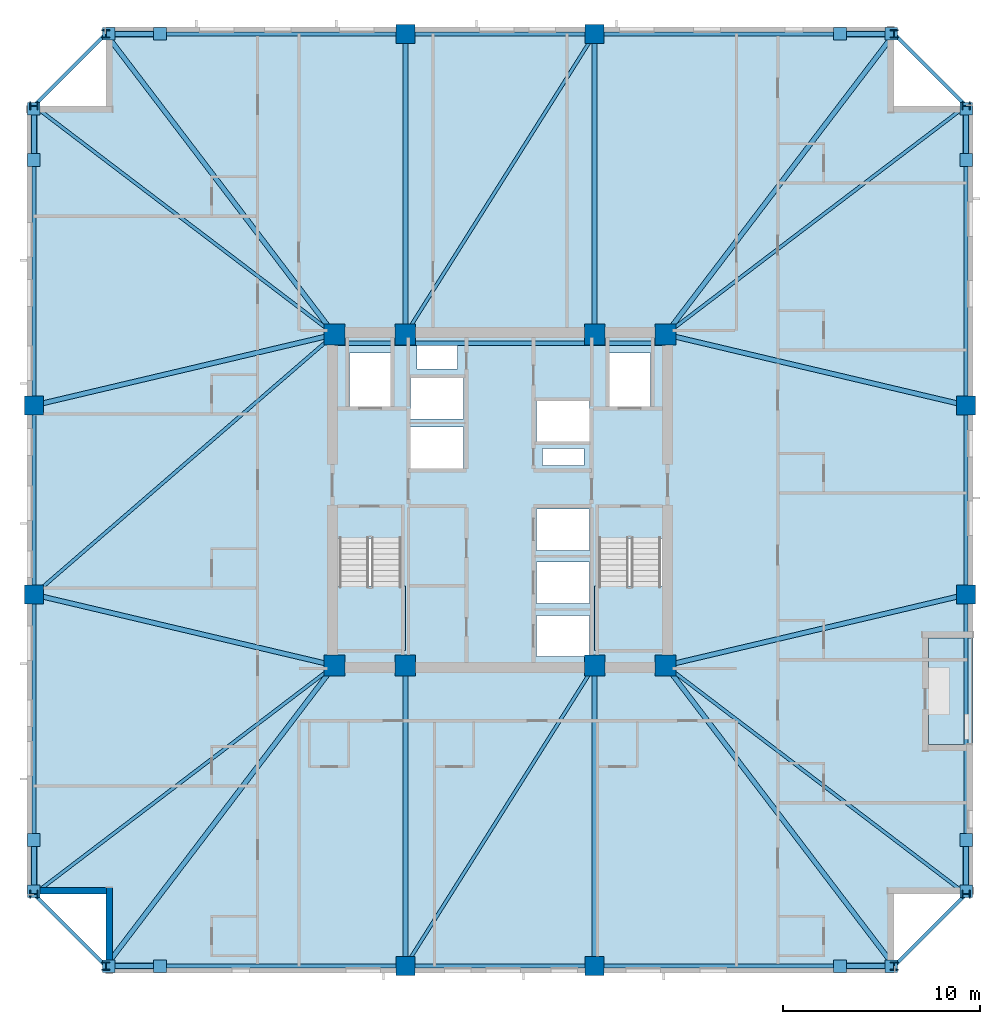
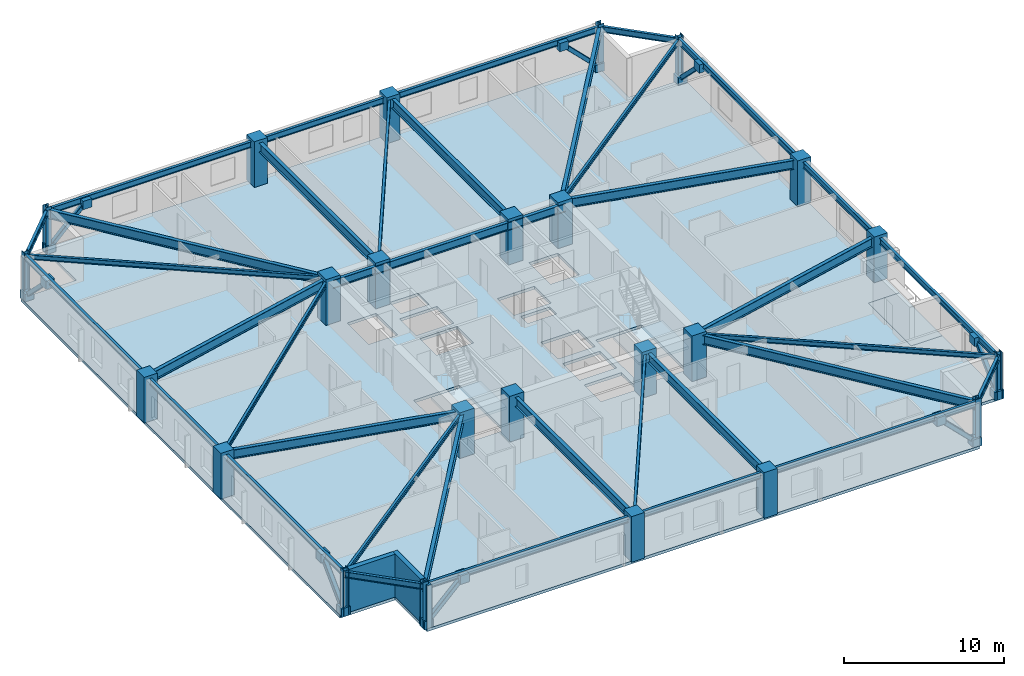
# One storey, part 1 of 11: 38 beams, 24 columns, 16 plates, 8 members, 4 slabs, 2 walls, 2 elements without a shape of their own.
"""IFC4 building model written with IfcOpenShell, lengths in metres."""

import ifcopenshell
import ifcopenshell.guid

model = None  # the IFC model being written
_history = None  # IfcOwnerHistory: only IFC2X3 demands one
_inside = {}  # id of a spatial element -> (the spatial element, [elements in it])
_under = {}  # id of a project, library or spatial element -> (it, [spatial elements below it])
_declared = {}  # id of a project -> (the project, [libraries it declares])
_typed = {}  # id of a type object -> (the type object, [elements of that type])
_made_of = {}  # id of a material, layer set ... -> (it, [elements and type objects made of it])


def new_model(schema):
    """Start an empty IFC model of exactly this schema.

    Asked for "IFC4X3", IfcOpenShell would pick the latest addendum, in which some entities
    have other attributes; the version numbers below select the first issue.
    IFC2X3 requires an IfcOwnerHistory on every rooted entity: one is made here for all.
    """
    global model, _history
    if schema == "IFC4X3":
        model = ifcopenshell.file(schema_version=(4, 3, 0, 0))
    else:
        model = ifcopenshell.file(schema=schema)
    _inside.clear()
    _under.clear()
    _declared.clear()
    _typed.clear()
    _made_of.clear()
    _history = None
    if model.schema == "IFC2X3":
        org = make("IfcOrganization", Name="unknown")
        user = make(
            "IfcPersonAndOrganization",
            ThePerson=make("IfcPerson", FamilyName="unknown"),
            TheOrganization=org,
        )
        app = make(
            "IfcApplication",
            ApplicationDeveloper=org,
            Version="unknown",
            ApplicationFullName="unknown",
            ApplicationIdentifier="unknown",
        )
        _history = make(
            "IfcOwnerHistory",
            OwningUser=user,
            OwningApplication=app,
            ChangeAction="ADDED",
            CreationDate=0,
        )
    return model


def make(cls, **values):
    """One entity of the class cls with the attributes given. An attribute that is None is left unset."""
    return model.create_entity(
        cls, **{name: value for name, value in values.items() if value is not None}
    )


def rooted(cls, **values):
    """An entity with a GlobalId (a new one), such as an element, a storey or a relation."""
    return make(cls, GlobalId=ifcopenshell.guid.new(), OwnerHistory=_history, **values)


def si_unit(unit_type, name, prefix=None):
    """IfcSIUnit, for example si_unit("LENGTHUNIT", "METRE", prefix="MILLI")."""
    return make("IfcSIUnit", UnitType=unit_type, Prefix=prefix, Name=name)


def assignment(units):
    """IfcUnitAssignment: the units of a project."""
    return None if units is None else make("IfcUnitAssignment", Units=units)


def point(xyz):
    """IfcCartesianPoint."""
    return None if xyz is None else make("IfcCartesianPoint", Coordinates=xyz)


def direction(xyz):
    """IfcDirection."""
    return None if xyz is None else make("IfcDirection", DirectionRatios=xyz)


def frame(location, z_axis=None, x_axis=None):
    """IfcAxis2Placement3D, a coordinate frame: its origin and axes. An axis left out is left unset."""
    return make(
        "IfcAxis2Placement3D",
        Location=point(location),
        Axis=direction(z_axis),
        RefDirection=direction(x_axis),
    )


def frame_2d(location, x_axis=None):
    """IfcAxis2Placement2D, a coordinate frame in the plane: its origin and x axis."""
    return make(
        "IfcAxis2Placement2D", Location=point(location), RefDirection=direction(x_axis)
    )


def origin():
    """The frame at (0, 0, 0) with its axes left unset."""
    return frame((0.0, 0.0, 0.0))


def origin_2d():
    """The frame at (0, 0) in the plane with its x axis left unset."""
    return frame_2d((0.0, 0.0))


def place(relative_to, where):
    """IfcLocalPlacement: puts the frame where relative to a parent placement (None: the world)."""
    return make(
        "IfcLocalPlacement", PlacementRelTo=relative_to, RelativePlacement=where
    )


def context(
    kind, dimensions, precision=None, world=None, true_north=None, identifier=None
):
    """IfcGeometricRepresentationContext, for example the 3D "Model" context."""
    return make(
        "IfcGeometricRepresentationContext",
        ContextIdentifier=identifier,
        ContextType=kind,
        CoordinateSpaceDimension=dimensions,
        Precision=precision,
        WorldCoordinateSystem=world,
        TrueNorth=true_north,
    )


def subcontext(parent, identifier, kind, view, scale=None):
    """IfcGeometricRepresentationSubContext, for example "Body" below "Model"."""
    return make(
        "IfcGeometricRepresentationSubContext",
        ContextIdentifier=identifier,
        ContextType=kind,
        ParentContext=parent,
        TargetScale=scale,
        TargetView=view,
    )


def project(units=None, contexts=None):
    """IfcProject with its units and contexts."""
    return rooted(
        "IfcProject",
        Name="project",
        RepresentationContexts=contexts,
        UnitsInContext=assignment(units),
    )


def spatial(cls, under=None, at=None, **own):
    """A site, building, storey or space (cls), placed at a placement, below another one or the project."""
    s = rooted(cls, ObjectPlacement=at, **own)
    if under is not None:
        _under.setdefault(under.id(), (under, []))[1].append(s)
    return s


def polyline(points):
    """IfcPolyline through the points."""
    return make("IfcPolyline", Points=[point(p) for p in points])


def profile(cls, at=None, kind="AREA", **sizes):
    """A parametric profile (cls). Its sizes go by their IFC names, for example OverallWidth=200.0."""
    return make(cls, ProfileType=kind, Position=at, **sizes)


def rectangle(**sizes):
    """IfcRectangleProfileDef."""
    return profile("IfcRectangleProfileDef", **sizes)


def hollow_rectangle(**sizes):
    """IfcRectangleHollowProfileDef."""
    return profile("IfcRectangleHollowProfileDef", **sizes)


def i_section(**sizes):
    """IfcIShapeProfileDef."""
    return profile("IfcIShapeProfileDef", **sizes)


def outline(outer, holes=None, kind="AREA"):
    """IfcArbitraryClosedProfileDef: a profile drawn as a closed curve; with holes, ...WithVoids."""
    if holes is None:
        return make("IfcArbitraryClosedProfileDef", ProfileType=kind, OuterCurve=outer)
    return make(
        "IfcArbitraryProfileDefWithVoids",
        ProfileType=kind,
        OuterCurve=outer,
        InnerCurves=holes,
    )


def extrude(swept, where, along, depth):
    """IfcExtrudedAreaSolid: the profile swept, set in the frame where, extruded along a direction by depth."""
    return make(
        "IfcExtrudedAreaSolid",
        SweptArea=swept,
        Position=where,
        ExtrudedDirection=direction(along),
        Depth=depth,
    )


def shape(context_of_items, identifier, shape_type, items):
    """IfcShapeRepresentation: the items that make up one representation, for example the "Body"."""
    return make(
        "IfcShapeRepresentation",
        ContextOfItems=context_of_items,
        RepresentationIdentifier=identifier,
        RepresentationType=shape_type,
        Items=items,
    )


def material(Name=None, Category=None):
    """IfcMaterial."""
    return make("IfcMaterial", Name=Name, Category=Category)


def layer(
    of_material, thickness, ventilated=None, Name=None, Category=None, Priority=None
):
    """IfcMaterialLayer: one layer of a wall or slab, of a material (None: an air gap)."""
    return make(
        "IfcMaterialLayer",
        Material=of_material,
        LayerThickness=thickness,
        IsVentilated=ventilated,
        Name=Name,
        Category=Category,
        Priority=Priority,
    )


def layer_set(layers, Name=None):
    """IfcMaterialLayerSet."""
    return make("IfcMaterialLayerSet", MaterialLayers=layers, LayerSetName=Name)


def material_profile(
    of_material, cross_section, Name=None, Category=None, Priority=None
):
    """IfcMaterialProfile: a cross section and its material."""
    return make(
        "IfcMaterialProfile",
        Name=Name,
        Material=of_material,
        Profile=cross_section,
        Priority=Priority,
        Category=Category,
    )


def profile_set(profiles, Name=None, composite=None):
    """IfcMaterialProfileSet."""
    return make(
        "IfcMaterialProfileSet",
        Name=Name,
        MaterialProfiles=profiles,
        CompositeProfile=composite,
    )


def made_of(thing, what):
    """Note that an element or type object is made of a material, layer set ...; save() writes the relation."""
    if what is not None:
        _made_of.setdefault(what.id(), (what, []))[1].append(thing)
    return thing


def type_object(cls, material=None, **own):
    """A type object (cls), such as IfcWallType, which elements share."""
    return made_of(rooted(cls, **own), material)


def element(
    cls,
    number,
    at=None,
    inside=None,
    cuts=None,
    type_object=None,
    material=None,
    context=None,
    identifier="Body",
    shape_type=None,
    held_by="IfcProductDefinitionShape",
    body=None,
    shapes=None,
    **own,
):
    """One element of the class cls, such as IfcWall. Its Tag is "e" and its number.

    at: its placement. inside: the storey or other place that contains it. cuts: it is an
    opening in that element (IfcRelVoidsElement). A single representation is given by context,
    identifier, shape_type and body (its items); several are given by shapes. held_by: the class
    of the entity that holds the representations. save() writes the other relations.
    """
    e = rooted(cls, Tag="e%d" % number, ObjectPlacement=at, **own)
    if body is not None:
        shapes = [shape(context, identifier, shape_type, body)]
    if shapes is not None:
        e.Representation = make(held_by, Representations=shapes)
    if inside is not None:
        _inside.setdefault(inside.id(), (inside, []))[1].append(e)
    if cuts is not None:
        rooted(
            "IfcRelVoidsElement", RelatingBuildingElement=cuts, RelatedOpeningElement=e
        )
    if type_object is not None:
        _typed.setdefault(type_object.id(), (type_object, []))[1].append(e)
    return made_of(e, material)


def aggregate(whole, parts):
    """IfcRelAggregates: a whole, such as a stair, and the parts it consists of."""
    return rooted("IfcRelAggregates", RelatingObject=whole, RelatedObjects=parts)


def save(model, path):
    """Write the relations noted so far, then the file.

    IfcRelAggregates (storeys below a building ...), IfcRelContainedInSpatialStructure (elements
    in a storey), IfcRelDefinesByType, IfcRelAssociatesMaterial and IfcRelDeclares: one each for
    every whole, place, type object, material and project.
    """
    for whole, parts in _under.values():
        aggregate(whole, parts)
    for where, things in _inside.values():
        rooted(
            "IfcRelContainedInSpatialStructure",
            RelatedElements=things,
            RelatingStructure=where,
        )
    for kind, things in _typed.values():
        rooted("IfcRelDefinesByType", RelatedObjects=things, RelatingType=kind)
    for what, things in _made_of.values():
        rooted("IfcRelAssociatesMaterial", RelatedObjects=things, RelatingMaterial=what)
    for by, libraries in _declared.values():
        rooted("IfcRelDeclares", RelatingContext=by, RelatedDefinitions=libraries)
    model.write(path)


model = new_model("IFC4")

# Units and contexts
model_context = context("Model", 3, precision=1e-05, world=origin(), true_north=direction((0.0, 1.0)))
body_context = subcontext(model_context, "Body", "Model", "MODEL_VIEW")
ifc_project = project(units=[si_unit("LENGTHUNIT", "METRE"), si_unit("AREAUNIT", "SQUARE_METRE"), si_unit("VOLUMEUNIT", "CUBIC_METRE"), si_unit("PLANEANGLEUNIT", "RADIAN"), si_unit("MASSUNIT", "GRAM", prefix="KILO")], contexts=[model_context])

# Site, building, storey
site_placement = place(None, origin())
site = spatial("IfcSite", under=ifc_project, at=site_placement, CompositionType="ELEMENT")
building_placement = place(site_placement, origin())
building = spatial("IfcBuilding", under=site, at=building_placement, Name="Cairnveth Concourse Tower", CompositionType="ELEMENT")
storey_placement = place(building_placement, frame((0.0, 0.0, 172.5)))
storey = spatial("IfcBuildingStorey", under=building, at=storey_placement, Name="L47", CompositionType="ELEMENT", Elevation=172.5)

# Columns
ifc_material_1 = material(Name="Concrete N65 (65 MPa)", Category="concrete")
ifc_material_profile_1 = material_profile(ifc_material_1, rectangle(XDim=1.050048828125, YDim=1.050048828125, at=origin_2d()), Name="RC-COL-1050x1050")
ifc_profile_set_1 = profile_set([ifc_material_profile_1], Name="Concrete N65 (65 MPa)")
column_type_1 = type_object("IfcColumnType", Name="CORE COLUMN 1050X1050", PredefinedType="COLUMN", material=ifc_profile_set_1)
for number, where, z_axis, x_axis, name in (
    (1, (43.60009765625, 30.60009765625, 0.0), (0.0, 0.0, 1.0), (1.0, 0.0, 0.0), "Column CC1 L47"),
    (2, (47.199951171875, 30.60009765625, 0.0), (0.0, 0.0, 1.0), (1.0, 0.0, 0.0), "Column CC2 L47"),
    (3, (56.800048828125, 30.60009765625, 0.0), (0.0, 0.0, 1.0), (1.0, 0.0, 0.0), "Column CC3 L47"),
    (4, (60.39990234375, 30.60009765625, 0.0), (0.0, 0.0, 1.0), (1.0, 0.0, 0.0), "Column CC4 L47"),
    (5, (43.60009765625, 47.39990234375, 0.0), (0.0, 0.0, 1.0), (1.0, 0.0, 0.0), "Column CC5 L47"),
    (6, (47.199951171875, 47.39990234375, 0.0), (0.0, 0.0, 1.0), (1.0, 0.0, 0.0), "Column CC6 L47"),
    (7, (56.800048828125, 47.39990234375, 0.0), (0.0, 0.0, 1.0), (1.0, 0.0, 0.0), "Column CC7 L47"),
    (8, (60.39990234375, 47.39990234375, 0.0), (0.0, 0.0, 1.0), (1.0, 0.0, 0.0), "Column CC8 L47"),
):
    element("IfcColumn", number, at=place(storey_placement, frame(where, z_axis=z_axis, x_axis=x_axis)), inside=storey, type_object=column_type_1, Name=name, PredefinedType="COLUMN", context=body_context, shape_type="SweptSolid", body=[
        extrude(rectangle(XDim=1.050048828125, YDim=1.050048828125, at=origin_2d()), origin(), (0.0, 0.0, 1.0), 3.5),
    ])
ifc_material_profile_2 = material_profile(ifc_material_1, rectangle(XDim=0.949951171875, YDim=0.949951171875, at=origin_2d()), Name="RC-COL-950x950")
ifc_profile_set_2 = profile_set([ifc_material_profile_2], Name="Concrete N65 (65 MPa)")
column_type_2 = type_object("IfcColumnType", Name="PERIMETER PIER COLUMN 950X950", PredefinedType="COLUMN", material=ifc_profile_set_2)
for number, where, z_axis, x_axis, name in (
    (9, (47.199951171875, 15.35009765625, 0.0), (0.0, 0.0, 1.0), (1.0, 0.0, 0.0), "Column P-S2 L47"),
    (10, (56.800048828125, 15.35009765625, 0.0), (0.0, 0.0, 1.0), (1.0, 0.0, 0.0), "Column P-S3 L47"),
    (11, (75.64990234375, 34.199951171875, 0.0), (0.0, 0.0, 1.0), (0.0, 1.0, 0.0), "Column P-E2 L47"),
    (12, (75.64990234375, 43.800048828125, 0.0), (0.0, 0.0, 1.0), (0.0, 1.0, 0.0), "Column P-E3 L47"),
    (13, (56.800048828125, 62.64990234375, 0.0), (0.0, 0.0, 1.0), (1.0, 0.0, 0.0), "Column P-N2 L47"),
    (14, (47.199951171875, 62.64990234375, 0.0), (0.0, 0.0, 1.0), (1.0, 0.0, 0.0), "Column P-N3 L47"),
    (15, (28.35009765625, 43.800048828125, 0.0), (0.0, 0.0, 1.0), (0.0, 1.0, 0.0), "Column P-W2 L47"),
    (16, (28.35009765625, 34.199951171875, 0.0), (0.0, 0.0, 1.0), (0.0, 1.0, 0.0), "Column P-W3 L47"),
):
    element("IfcColumn", number, at=place(storey_placement, frame(where, z_axis=z_axis, x_axis=x_axis)), inside=storey, type_object=column_type_2, Name=name, PredefinedType="COLUMN", context=body_context, shape_type="SweptSolid", body=[
        extrude(rectangle(XDim=0.949951171875, YDim=0.949951171875, at=origin_2d()), origin(), (0.0, 0.0, 1.0), 3.5),
    ])
ifc_material_2 = material(Name="Steel Grade 350", Category="steel")
ifc_material_profile_3 = material_profile(ifc_material_2, i_section(OverallWidth=0.39990234375, OverallDepth=0.39990234375, WebThickness=0.02197265625, FlangeThickness=0.035888671875, at=origin_2d()), Name="400WC270")
ifc_profile_set_3 = profile_set([ifc_material_profile_3], Name="Steel Grade 350")
column_type_3 = type_object("IfcColumnType", Name="WELDED STEEL COLUMN 400WC270", PredefinedType="COLUMN", material=ifc_profile_set_3)
for number, where, z_axis, x_axis, name in (
    (17, (32.0, 15.35009765625, 0.0), (0.0, 0.0, 1.0), (1.0, 0.0, 0.0), "Column P-S1 L47"),
    (18, (72.0, 15.35009765625, 0.0), (0.0, 0.0, 1.0), (1.0, 0.0, 0.0), "Column P-S4 L47"),
    (19, (75.64990234375, 19.0, 0.0), (0.0, 0.0, 1.0), (0.0, 1.0, 0.0), "Column P-E1 L47"),
    (20, (75.64990234375, 59.0, 0.0), (0.0, 0.0, 1.0), (0.0, 1.0, 0.0), "Column P-E4 L47"),
    (21, (72.0, 62.64990234375, 0.0), (0.0, 0.0, 1.0), (1.0, 0.0, 0.0), "Column P-N1 L47"),
    (22, (32.0, 62.64990234375, 0.0), (0.0, 0.0, 1.0), (1.0, 0.0, 0.0), "Column P-N4 L47"),
    (23, (28.35009765625, 59.0, 0.0), (0.0, 0.0, 1.0), (0.0, 1.0, 0.0), "Column P-W1 L47"),
    (24, (28.35009765625, 19.0, 0.0), (0.0, 0.0, 1.0), (0.0, 1.0, 0.0), "Column P-W4 L47"),
):
    element("IfcColumn", number, at=place(storey_placement, frame(where, z_axis=z_axis, x_axis=x_axis)), inside=storey, type_object=column_type_3, Name=name, PredefinedType="COLUMN", context=body_context, shape_type="SweptSolid", body=[
        extrude(i_section(OverallWidth=0.39990234375, OverallDepth=0.39990234375, WebThickness=0.02197265625, FlangeThickness=0.035888671875, at=origin_2d()), origin(), (0.0, 0.0, 1.0), 3.5),
    ])

# Beams
ifc_material_profile_4 = material_profile(ifc_material_2, i_section(OverallWidth=0.22802734375, OverallDepth=0.60693359375, WebThickness=0.01123046875, FlangeThickness=0.017333984375, FilletRadius=0.013916015625, at=origin_2d()), Name="610UB113")
ifc_profile_set_4 = profile_set([ifc_material_profile_4], Name="Steel Grade 350")
beam_type_1 = type_object("IfcBeamType", Name="CORE TIE BEAM 610UB113", PredefinedType="T_BEAM", material=ifc_profile_set_4)
for number, where, z_axis, x_axis, name in (
    (25, (43.60009765625, 46.949951171875, 2.9765625), (1.0, 0.0, 0.0), (0.0, 1.0, 0.0), "Beam CT-N1 L47"),
    (26, (56.800048828125, 46.949951171875, 2.9765625), (1.0, 0.0, 0.0), (0.0, 1.0, 0.0), "Beam CT-N3 L47"),
):
    element("IfcBeam", number, at=place(storey_placement, frame(where, z_axis=z_axis, x_axis=x_axis)), inside=storey, type_object=beam_type_1, Name=name, PredefinedType="T_BEAM", context=body_context, shape_type="SweptSolid", body=[
        extrude(i_section(OverallWidth=0.22802734375, OverallDepth=0.60693359375, WebThickness=0.01123046875, FlangeThickness=0.017333984375, FilletRadius=0.013916015625, at=origin_2d()), origin(), (0.0, 0.0, 1.0), 3.599853515625),
    ])
beam_1_placement = place(storey_placement, frame((47.199951171875, 46.949951171875, 2.9765625), z_axis=(1.0, 0.0, 0.0), x_axis=(0.0, 1.0, 0.0)))
element("IfcBeam", 27, at=beam_1_placement, inside=storey, type_object=beam_type_1, Name="Beam CT-N2 L47", PredefinedType="T_BEAM", context=body_context, shape_type="SweptSolid", body=[
    extrude(i_section(OverallWidth=0.22802734375, OverallDepth=0.60693359375, WebThickness=0.01123046875, FlangeThickness=0.017333984375, FilletRadius=0.013916015625, at=origin_2d()), origin(), (0.0, 0.0, 1.0), 9.60009765625),
])
ifc_material_profile_5 = material_profile(ifc_material_2, i_section(OverallWidth=0.172119140625, OverallDepth=0.35888671875, WebThickness=0.008056640625, FlangeThickness=0.012939453125, FilletRadius=0.010986328125, at=origin_2d()), Name="360UB56.7")
ifc_profile_set_5 = profile_set([ifc_material_profile_5], Name="Steel Grade 350")
beam_type_2 = type_object("IfcBeamType", Name="ZONE 2 FLOOR JOIST 360UB56.7", PredefinedType="JOIST", material=ifc_profile_set_5)
for number, where, z_axis, x_axis, name in (
    (28, (28.35009765625, 19.0, 3.1005859375), (0.795908242904, 0.6054172684, 0.0), (-0.6054172684, 0.795908242904, 0.0), "Beam FJ-CSW2 L47"),
    (29, (75.64990234375, 19.0, 3.1005859375), (-0.795908242904, 0.6054172684, 0.0), (-0.6054172684, -0.795908242904, 0.0), "Beam FJ-CSE2 L47"),
    (30, (75.64990234375, 59.0, 3.1005859375), (-0.795908242904, -0.6054172684, 0.0), (0.6054172684, -0.795908242904, 0.0), "Beam FJ-CNE2 L47"),
    (31, (28.35009765625, 59.0, 3.1005859375), (0.795908242904, -0.6054172684, 0.0), (0.6054172684, 0.795908242904, 0.0), "Beam FJ-CNW2 L47"),
):
    element("IfcBeam", number, at=place(storey_placement, frame(where, z_axis=z_axis, x_axis=x_axis)), inside=storey, type_object=beam_type_2, Name=name, PredefinedType="JOIST", context=body_context, shape_type="SweptSolid", body=[
        extrude(i_section(OverallWidth=0.172119140625, OverallDepth=0.35888671875, WebThickness=0.008056640625, FlangeThickness=0.012939453125, FilletRadius=0.010986328125, at=origin_2d()), origin(), (0.0, 0.0, 1.0), 19.160400390625),
    ])
for number, where, z_axis, x_axis, name in (
    (32, (47.199951171875, 15.35009765625, 3.1005859375), (0.532743557037, 0.84627672923, 0.0), (-0.84627672923, 0.532743557037, 0.0), "Beam FJ-S-M1 L47"),
    (33, (47.199951171875, 47.39990234375, 3.1005859375), (0.532743557037, 0.84627672923, 0.0), (-0.84627672923, 0.532743557037, 0.0), "Beam FJ-N-M1 L47"),
):
    element("IfcBeam", number, at=place(storey_placement, frame(where, z_axis=z_axis, x_axis=x_axis)), inside=storey, type_object=beam_type_2, Name=name, PredefinedType="JOIST", context=body_context, shape_type="SweptSolid", body=[
        extrude(i_section(OverallWidth=0.172119140625, OverallDepth=0.35888671875, WebThickness=0.008056640625, FlangeThickness=0.012939453125, FilletRadius=0.010986328125, at=origin_2d()), origin(), (0.0, 0.0, 1.0), 18.02001953125),
    ])
beam_2_placement = place(storey_placement, frame((28.35009765625, 34.199951171875, 3.1005859375), z_axis=(0.756099107057, 0.654457134049, 0.0), x_axis=(-0.654457134049, 0.756099107057, 0.0)))
element("IfcBeam", 34, at=beam_2_placement, inside=storey, type_object=beam_type_2, Name="Beam FJ-W-M1 L47", PredefinedType="JOIST", context=body_context, shape_type="SweptSolid", body=[
    extrude(i_section(OverallWidth=0.172119140625, OverallDepth=0.35888671875, WebThickness=0.008056640625, FlangeThickness=0.012939453125, FilletRadius=0.010986328125, at=origin_2d()), origin(), (0.0, 0.0, 1.0), 20.16943359375),
])

# Members
ifc_material_3 = material(Name="Steel C350L0 (350 MPa)", Category="steel")
ifc_material_profile_6 = material_profile(ifc_material_3, hollow_rectangle(XDim=0.300048828125, YDim=0.300048828125, WallThickness=0.01611328125, InnerFilletRadius=0.01611328125, OuterFilletRadius=0.031982421875, at=origin_2d()), Name="300x300x16.0SHS")
ifc_profile_set_6 = profile_set([ifc_material_profile_6], Name="Steel C350L0 (350 MPa)")
member_type = type_object("IfcMemberType", Name="ZONE 2 PIER BRACE 300X300X16SHS", PredefinedType="BRACE", material=ifc_profile_set_6)
for number, where, z_axis, x_axis, name in (
    (35, (32.14990234375, 15.35009765625, 0.25), (0.709834195787, 0.0, 0.704368805735), (0.0, 1.0, 0.0), "Structural Brace PB-S1 L47"),
    (36, (71.85009765625, 15.35009765625, 0.25), (-0.709834195787, 0.0, 0.704368805735), (0.0, -1.0, 0.0), "Structural Brace PB-S2 L47"),
    (37, (32.14990234375, 62.64990234375, 0.25), (0.709834195787, 0.0, 0.704368805735), (0.0, 1.0, 0.0), "Structural Brace PB-N1 L47"),
    (38, (71.85009765625, 62.64990234375, 0.25), (-0.709834195787, 0.0, 0.704368805735), (0.0, -1.0, 0.0), "Structural Brace PB-N2 L47"),
    (39, (28.35009765625, 19.14990234375, 0.25), (0.0, 0.709834195787, 0.704368805735), (-1.0, 0.0, 0.0), "Structural Brace PB-W1 L47"),
    (40, (28.35009765625, 58.85009765625, 0.25), (0.0, -0.709834195787, 0.704368805735), (1.0, 0.0, 0.0), "Structural Brace PB-W2 L47"),
    (41, (75.64990234375, 19.14990234375, 0.25), (0.0, 0.709834195787, 0.704368805735), (-1.0, 0.0, 0.0), "Structural Brace PB-E1 L47"),
    (42, (75.64990234375, 58.85009765625, 0.25), (0.0, -0.709834195787, 0.704368805735), (1.0, 0.0, 0.0), "Structural Brace PB-E2 L47"),
):
    element("IfcMember", number, at=place(storey_placement, frame(where, z_axis=z_axis, x_axis=x_axis)), inside=storey, type_object=member_type, Name=name, PredefinedType="BRACE", context=body_context, shape_type="SweptSolid", body=[
        extrude(hollow_rectangle(XDim=0.300048828125, YDim=0.300048828125, WallThickness=0.01611328125, InnerFilletRadius=0.01611328125, OuterFilletRadius=0.031982421875, at=origin_2d()), origin(), (0.0, 0.0, 1.0), 3.6630859375),
    ])

# Beams
ifc_material_profile_7 = material_profile(ifc_material_2, i_section(OverallWidth=0.25, OverallDepth=0.699951171875, WebThickness=0.011962890625, FlangeThickness=0.028076171875, at=origin_2d()), Name="700WB173")
ifc_profile_set_7 = profile_set([ifc_material_profile_7], Name="Steel Grade 350")
beam_type_3 = type_object("IfcBeamType", Name="ZONE 2 RADIAL GIRDER 700WB173", PredefinedType="BEAM", material=ifc_profile_set_7)
for number, where, z_axis, x_axis, name in (
    (43, (47.199951171875, 15.35009765625, 2.929931640625), (0.0, 1.0, 0.0), (-1.0, 0.0, 0.0), "Beam RG-S1 L47"),
    (44, (56.800048828125, 15.35009765625, 2.929931640625), (0.0, 1.0, 0.0), (-1.0, 0.0, 0.0), "Beam RG-S2 L47"),
    (45, (47.199951171875, 47.39990234375, 2.929931640625), (0.0, 1.0, 0.0), (-1.0, 0.0, 0.0), "Beam RG-N1 L47"),
    (46, (56.800048828125, 47.39990234375, 2.929931640625), (0.0, 1.0, 0.0), (-1.0, 0.0, 0.0), "Beam RG-N2 L47"),
):
    element("IfcBeam", number, at=place(storey_placement, frame(where, z_axis=z_axis, x_axis=x_axis)), inside=storey, type_object=beam_type_3, Name=name, PredefinedType="BEAM", context=body_context, shape_type="SweptSolid", body=[
        extrude(i_section(OverallWidth=0.25, OverallDepth=0.699951171875, WebThickness=0.011962890625, FlangeThickness=0.028076171875, at=origin_2d()), origin(), (0.0, 0.0, 1.0), 15.25),
    ])
for number, where, z_axis, x_axis, name in (
    (47, (28.35009765625, 34.199951171875, 2.929931640625), (0.973251602929, -0.229741849468, 0.0), (0.229741849468, 0.973251602929, 0.0), "Beam RG-W1 L47"),
    (48, (28.35009765625, 43.800048828125, 2.929931640625), (0.973251602929, 0.229741849468, 0.0), (-0.229741849468, 0.973251602929, 0.0), "Beam RG-W2 L47"),
    (49, (60.39990234375, 30.60009765625, 2.929931640625), (0.973251602929, 0.229741849468, 0.0), (-0.229741849468, 0.973251602929, 0.0), "Beam RG-E1 L47"),
    (50, (60.39990234375, 47.39990234375, 2.929931640625), (0.973251602929, -0.229741849468, 0.0), (0.229741849468, 0.973251602929, 0.0), "Beam RG-E2 L47"),
):
    element("IfcBeam", number, at=place(storey_placement, frame(where, z_axis=z_axis, x_axis=x_axis)), inside=storey, type_object=beam_type_3, Name=name, PredefinedType="BEAM", context=body_context, shape_type="SweptSolid", body=[
        extrude(i_section(OverallWidth=0.25, OverallDepth=0.699951171875, WebThickness=0.011962890625, FlangeThickness=0.028076171875, at=origin_2d()), origin(), (0.0, 0.0, 1.0), 15.669189453125),
    ])
for number, where, z_axis, x_axis, name in (
    (51, (32.0, 15.35009765625, 2.929931640625), (0.6054172684, 0.795908242904, 0.0), (-0.795908242904, 0.6054172684, 0.0), "Beam RG-CSW L47"),
    (52, (72.0, 15.35009765625, 2.929931640625), (-0.6054172684, 0.795908242904, 0.0), (-0.795908242904, -0.6054172684, 0.0), "Beam RG-CSE L47"),
    (53, (72.0, 62.64990234375, 2.929931640625), (-0.6054172684, -0.795908242904, 0.0), (0.795908242904, -0.6054172684, 0.0), "Beam RG-CNE L47"),
    (54, (32.0, 62.64990234375, 2.929931640625), (0.6054172684, -0.795908242904, 0.0), (0.795908242904, 0.6054172684, 0.0), "Beam RG-CNW L47"),
):
    element("IfcBeam", number, at=place(storey_placement, frame(where, z_axis=z_axis, x_axis=x_axis)), inside=storey, type_object=beam_type_3, Name=name, PredefinedType="BEAM", context=body_context, shape_type="SweptSolid", body=[
        extrude(i_section(OverallWidth=0.25, OverallDepth=0.699951171875, WebThickness=0.011962890625, FlangeThickness=0.028076171875, at=origin_2d()), origin(), (0.0, 0.0, 1.0), 19.160400390625),
    ])
ifc_material_profile_8 = material_profile(ifc_material_2, i_section(OverallWidth=0.18994140625, OverallDepth=0.45703125, WebThickness=0.009033203125, FlangeThickness=0.014404296875, FilletRadius=0.010986328125, at=origin_2d()), Name="460UB74.6")
ifc_profile_set_8 = profile_set([ifc_material_profile_8], Name="Steel Grade 350")
beam_type_4 = type_object("IfcBeamType", Name="ZONE 2 SPANDREL BEAM 460UB74.6", PredefinedType="SPANDREL", material=ifc_profile_set_8)
beam_3_placement = place(storey_placement, frame((32.0, 15.35009765625, 3.051513671875), z_axis=(1.0, 0.0, 0.0), x_axis=(0.0, 1.0, 0.0)))
element("IfcBeam", 55, at=beam_3_placement, inside=storey, type_object=beam_type_4, Name="Beam SP-S1 L47", PredefinedType="SPANDREL", context=body_context, shape_type="SweptSolid", body=[
    extrude(i_section(OverallWidth=0.18994140625, OverallDepth=0.45703125, WebThickness=0.009033203125, FlangeThickness=0.014404296875, FilletRadius=0.010986328125, at=origin_2d()), origin(), (0.0, 0.0, 1.0), 15.199951171875),
])
beam_4_placement = place(storey_placement, frame((47.199951171875, 15.35009765625, 3.051513671875), z_axis=(1.0, 0.0, 0.0), x_axis=(0.0, 1.0, 0.0)))
element("IfcBeam", 56, at=beam_4_placement, inside=storey, type_object=beam_type_4, Name="Beam SP-S2 L47", PredefinedType="SPANDREL", context=body_context, shape_type="SweptSolid", body=[
    extrude(i_section(OverallWidth=0.18994140625, OverallDepth=0.45703125, WebThickness=0.009033203125, FlangeThickness=0.014404296875, FilletRadius=0.010986328125, at=origin_2d()), origin(), (0.0, 0.0, 1.0), 9.60009765625),
])
for number, where, z_axis, x_axis, name in (
    (57, (56.800048828125, 15.35009765625, 3.051513671875), (1.0, 0.0, 0.0), (0.0, 1.0, 0.0), "Beam SP-S3 L47"),
    (58, (32.0, 62.64990234375, 3.051513671875), (1.0, 0.0, 0.0), (0.0, 1.0, 0.0), "Beam SP-N1 L47"),
):
    element("IfcBeam", number, at=place(storey_placement, frame(where, z_axis=z_axis, x_axis=x_axis)), inside=storey, type_object=beam_type_4, Name=name, PredefinedType="SPANDREL", context=body_context, shape_type="SweptSolid", body=[
        extrude(i_section(OverallWidth=0.18994140625, OverallDepth=0.45703125, WebThickness=0.009033203125, FlangeThickness=0.014404296875, FilletRadius=0.010986328125, at=origin_2d()), origin(), (0.0, 0.0, 1.0), 15.199951171875),
    ])
beam_5_placement = place(storey_placement, frame((47.199951171875, 62.64990234375, 3.051513671875), z_axis=(1.0, 0.0, 0.0), x_axis=(0.0, 1.0, 0.0)))
element("IfcBeam", 59, at=beam_5_placement, inside=storey, type_object=beam_type_4, Name="Beam SP-N2 L47", PredefinedType="SPANDREL", context=body_context, shape_type="SweptSolid", body=[
    extrude(i_section(OverallWidth=0.18994140625, OverallDepth=0.45703125, WebThickness=0.009033203125, FlangeThickness=0.014404296875, FilletRadius=0.010986328125, at=origin_2d()), origin(), (0.0, 0.0, 1.0), 9.60009765625),
])
for number, where, z_axis, x_axis, name in (
    (60, (56.800048828125, 62.64990234375, 3.051513671875), (1.0, 0.0, 0.0), (0.0, 1.0, 0.0), "Beam SP-N3 L47"),
    (61, (28.35009765625, 19.0, 3.051513671875), (0.0, 1.0, 0.0), (-1.0, 0.0, 0.0), "Beam SP-W1 L47"),
):
    element("IfcBeam", number, at=place(storey_placement, frame(where, z_axis=z_axis, x_axis=x_axis)), inside=storey, type_object=beam_type_4, Name=name, PredefinedType="SPANDREL", context=body_context, shape_type="SweptSolid", body=[
        extrude(i_section(OverallWidth=0.18994140625, OverallDepth=0.45703125, WebThickness=0.009033203125, FlangeThickness=0.014404296875, FilletRadius=0.010986328125, at=origin_2d()), origin(), (0.0, 0.0, 1.0), 15.199951171875),
    ])
beam_6_placement = place(storey_placement, frame((28.35009765625, 34.199951171875, 3.051513671875), z_axis=(0.0, 1.0, 0.0), x_axis=(-1.0, 0.0, 0.0)))
element("IfcBeam", 62, at=beam_6_placement, inside=storey, type_object=beam_type_4, Name="Beam SP-W2 L47", PredefinedType="SPANDREL", context=body_context, shape_type="SweptSolid", body=[
    extrude(i_section(OverallWidth=0.18994140625, OverallDepth=0.45703125, WebThickness=0.009033203125, FlangeThickness=0.014404296875, FilletRadius=0.010986328125, at=origin_2d()), origin(), (0.0, 0.0, 1.0), 9.60009765625),
])
for number, where, z_axis, x_axis, name in (
    (63, (28.35009765625, 43.800048828125, 3.051513671875), (0.0, 1.0, 0.0), (-1.0, 0.0, 0.0), "Beam SP-W3 L47"),
    (64, (75.64990234375, 19.0, 3.051513671875), (0.0, 1.0, 0.0), (-1.0, 0.0, 0.0), "Beam SP-E1 L47"),
):
    element("IfcBeam", number, at=place(storey_placement, frame(where, z_axis=z_axis, x_axis=x_axis)), inside=storey, type_object=beam_type_4, Name=name, PredefinedType="SPANDREL", context=body_context, shape_type="SweptSolid", body=[
        extrude(i_section(OverallWidth=0.18994140625, OverallDepth=0.45703125, WebThickness=0.009033203125, FlangeThickness=0.014404296875, FilletRadius=0.010986328125, at=origin_2d()), origin(), (0.0, 0.0, 1.0), 15.199951171875),
    ])
beam_7_placement = place(storey_placement, frame((75.64990234375, 34.199951171875, 3.051513671875), z_axis=(0.0, 1.0, 0.0), x_axis=(-1.0, 0.0, 0.0)))
element("IfcBeam", 65, at=beam_7_placement, inside=storey, type_object=beam_type_4, Name="Beam SP-E2 L47", PredefinedType="SPANDREL", context=body_context, shape_type="SweptSolid", body=[
    extrude(i_section(OverallWidth=0.18994140625, OverallDepth=0.45703125, WebThickness=0.009033203125, FlangeThickness=0.014404296875, FilletRadius=0.010986328125, at=origin_2d()), origin(), (0.0, 0.0, 1.0), 9.60009765625),
])
beam_8_placement = place(storey_placement, frame((75.64990234375, 43.800048828125, 3.051513671875), z_axis=(0.0, 1.0, 0.0), x_axis=(-1.0, 0.0, 0.0)))
element("IfcBeam", 66, at=beam_8_placement, inside=storey, type_object=beam_type_4, Name="Beam SP-E3 L47", PredefinedType="SPANDREL", context=body_context, shape_type="SweptSolid", body=[
    extrude(i_section(OverallWidth=0.18994140625, OverallDepth=0.45703125, WebThickness=0.009033203125, FlangeThickness=0.014404296875, FilletRadius=0.010986328125, at=origin_2d()), origin(), (0.0, 0.0, 1.0), 15.199951171875),
])
for number, where, z_axis, x_axis, name in (
    (67, (28.35009765625, 19.0, 3.051513671875), (0.707106781187, -0.707106781187, 0.0), (0.707106781187, 0.707106781187, 0.0), "Beam SP-SW L47"),
    (68, (72.0, 15.35009765625, 3.051513671875), (0.707106781187, 0.707106781187, 0.0), (-0.707106781187, 0.707106781187, 0.0), "Beam SP-SE L47"),
    (69, (72.0, 62.64990234375, 3.051513671875), (0.707106781187, -0.707106781187, 0.0), (0.707106781187, 0.707106781187, 0.0), "Beam SP-NE L47"),
    (70, (28.35009765625, 59.0, 3.051513671875), (0.707106781187, 0.707106781187, 0.0), (-0.707106781187, 0.707106781187, 0.0), "Beam SP-NW L47"),
):
    element("IfcBeam", number, at=place(storey_placement, frame(where, z_axis=z_axis, x_axis=x_axis)), inside=storey, type_object=beam_type_4, Name=name, PredefinedType="SPANDREL", context=body_context, shape_type="SweptSolid", body=[
        extrude(i_section(OverallWidth=0.18994140625, OverallDepth=0.45703125, WebThickness=0.009033203125, FlangeThickness=0.014404296875, FilletRadius=0.010986328125, at=origin_2d()), origin(), (0.0, 0.0, 1.0), 5.16162109375),
    ])

# Slab
ifc_material_4 = material(Name="Concrete N50 (50 MPa)", Category="concrete")
ifc_layer_1 = layer(ifc_material_4, 0.219970703125)
ifc_layer_set_1 = layer_set([ifc_layer_1], Name="Concrete N50 (50 MPa)")
slab_type_1 = type_object("IfcSlabType", Name="LOWER TOWER COMPOSITE SLAB 220", PredefinedType="FLOOR", material=ifc_layer_set_1)
slab_1_placement = place(storey_placement, frame((0.0, 0.0, -0.219970703125)))
element("IfcSlab", 71, at=slab_1_placement, inside=storey, type_object=slab_type_1, Name="Tower Floor Slab L47", PredefinedType="FLOOR", context=body_context, shape_type="SweptSolid", body=[
    extrude(outline(polyline([(76.0, 26.60009765625), (73.75, 26.60009765625), (73.75, 32.0), (76.0, 32.0), (76.0, 59.0), (72.0, 59.0), (72.0, 63.0), (32.0, 63.0), (32.0, 59.0), (28.0, 59.0), (28.0, 19.0), (32.0, 19.0), (32.0, 15.0), (72.0, 15.0), (72.0, 19.0), (76.0, 19.0), (76.0, 26.60009765625)]), holes=[polyline([(43.760009765625, 31.360107421875), (47.06005859375, 31.360107421875), (47.06005859375, 37.0400390625), (43.760009765625, 37.0400390625), (43.760009765625, 31.360107421875)]), polyline([(56.93994140625, 31.360107421875), (60.239990234375, 31.360107421875), (60.239990234375, 37.0400390625), (56.93994140625, 37.0400390625), (56.93994140625, 31.360107421875)]), polyline([(44.3701171875, 43.75), (46.469970703125, 43.75), (46.469970703125, 46.449951171875), (44.3701171875, 46.449951171875), (44.3701171875, 43.75)]), polyline([(57.530029296875, 43.75), (59.6298828125, 43.75), (59.6298828125, 46.449951171875), (57.530029296875, 46.449951171875), (57.530029296875, 43.75)]), polyline([(53.85009765625, 31.050048828125), (56.550048828125, 31.050048828125), (56.550048828125, 33.14990234375), (53.85009765625, 33.14990234375), (53.85009765625, 31.050048828125)]), polyline([(53.85009765625, 33.75), (56.550048828125, 33.75), (56.550048828125, 35.85009765625), (53.85009765625, 35.85009765625), (53.85009765625, 33.75)]), polyline([(53.85009765625, 36.449951171875), (56.550048828125, 36.449951171875), (56.550048828125, 38.550048828125), (53.85009765625, 38.550048828125), (53.85009765625, 36.449951171875)]), polyline([(47.449951171875, 40.60009765625), (50.14990234375, 40.60009765625), (50.14990234375, 42.699951171875), (47.449951171875, 42.699951171875), (47.449951171875, 40.60009765625)]), polyline([(47.449951171875, 43.10009765625), (50.14990234375, 43.10009765625), (50.14990234375, 45.199951171875), (47.449951171875, 45.199951171875), (47.449951171875, 43.10009765625)]), polyline([(53.85009765625, 41.949951171875), (56.550048828125, 41.949951171875), (56.550048828125, 44.050048828125), (53.85009765625, 44.050048828125), (53.85009765625, 41.949951171875)]), polyline([(47.800048828125, 45.64990234375), (49.85009765625, 45.64990234375), (49.85009765625, 47.050048828125), (47.800048828125, 47.050048828125), (47.800048828125, 45.64990234375)]), polyline([(54.14990234375, 40.75), (56.25, 40.75), (56.25, 41.6201171875), (54.14990234375, 41.6201171875), (54.14990234375, 40.75)])]), origin(), (0.0, 0.0, 1.0), 0.219970703125),
])

# Plates
ifc_layer_2 = layer(ifc_material_2, 0.031982421875)
ifc_layer_set_2 = layer_set([ifc_layer_2], Name="Steel Grade 350")
plate_type = type_object("IfcPlateType", Name="PERIMETER BRACE GUSSET PLATE 32", PredefinedType="USERDEFINED", material=ifc_layer_set_2)
for number, where, z_axis, x_axis, name in (
    (72, (32.14990234375, 15.35009765625, -0.06982421875), (0.0, 0.0, 1.0), (1.0, 0.0, 0.0), "Structural Node Plate 0785 L47"),
    (73, (34.75, 15.35009765625, 2.51025390625), (0.0, 0.0, 1.0), (1.0, 0.0, 0.0), "Structural Node Plate 0786 L47"),
    (74, (71.85009765625, 15.35009765625, -0.06982421875), (0.0, 0.0, 1.0), (1.0, 0.0, 0.0), "Structural Node Plate 0787 L47"),
    (75, (69.25, 15.35009765625, 2.51025390625), (0.0, 0.0, 1.0), (1.0, 0.0, 0.0), "Structural Node Plate 0788 L47"),
    (76, (32.14990234375, 62.64990234375, -0.06982421875), (0.0, 0.0, 1.0), (1.0, 0.0, 0.0), "Structural Node Plate 0789 L47"),
    (77, (34.75, 62.64990234375, 2.51025390625), (0.0, 0.0, 1.0), (1.0, 0.0, 0.0), "Structural Node Plate 0790 L47"),
    (78, (71.85009765625, 62.64990234375, -0.06982421875), (0.0, 0.0, 1.0), (1.0, 0.0, 0.0), "Structural Node Plate 0791 L47"),
    (79, (69.25, 62.64990234375, 2.51025390625), (0.0, 0.0, 1.0), (1.0, 0.0, 0.0), "Structural Node Plate 0792 L47"),
    (80, (28.35009765625, 19.14990234375, -0.06982421875), (0.0, 0.0, 1.0), (1.0, 0.0, 0.0), "Structural Node Plate 0793 L47"),
    (81, (28.35009765625, 21.75, 2.51025390625), (0.0, 0.0, 1.0), (1.0, 0.0, 0.0), "Structural Node Plate 0794 L47"),
    (82, (28.35009765625, 58.85009765625, -0.06982421875), (0.0, 0.0, 1.0), (1.0, 0.0, 0.0), "Structural Node Plate 0795 L47"),
    (83, (28.35009765625, 56.25, 2.51025390625), (0.0, 0.0, 1.0), (1.0, 0.0, 0.0), "Structural Node Plate 0796 L47"),
    (84, (75.64990234375, 19.14990234375, -0.06982421875), (0.0, 0.0, 1.0), (1.0, 0.0, 0.0), "Structural Node Plate 0797 L47"),
    (85, (75.64990234375, 21.75, 2.51025390625), (0.0, 0.0, 1.0), (1.0, 0.0, 0.0), "Structural Node Plate 0798 L47"),
    (86, (75.64990234375, 58.85009765625, -0.06982421875), (0.0, 0.0, 1.0), (1.0, 0.0, 0.0), "Structural Node Plate 0799 L47"),
    (87, (75.64990234375, 56.25, 2.51025390625), (0.0, 0.0, 1.0), (1.0, 0.0, 0.0), "Structural Node Plate 0800 L47"),
):
    element("IfcPlate", number, at=place(storey_placement, frame(where, z_axis=z_axis, x_axis=x_axis)), inside=storey, type_object=plate_type, Name=name, ObjectType="GUSSET PLATE", PredefinedType="USERDEFINED", context=body_context, shape_type="SweptSolid", body=[
        extrude(rectangle(XDim=0.639892578125, YDim=0.639892578125, at=origin_2d()), origin(), (0.0, 0.0, 1.0), 0.639892578125),
    ])

# Slab
ifc_layer_3 = layer(ifc_material_4, 0.18994140625)
ifc_layer_set_3 = layer_set([ifc_layer_3], Name="Concrete N50 (50 MPa)")
slab_type_2 = type_object("IfcSlabType", Name="SPIRAL OUTDOOR TERRACE SLAB 190", PredefinedType="FLOOR", material=ifc_layer_set_3)
slab_2_placement = place(storey_placement, frame((0.0, 0.0, -0.18994140625)))
element("IfcSlab", 88, at=slab_2_placement, inside=storey, type_object=slab_type_2, Name="Spiral Terrace Slab L47", PredefinedType="FLOOR", context=body_context, shape_type="SweptSolid", body=[
    extrude(outline(polyline([(73.75, 26.60009765625), (76.0, 26.60009765625), (76.0, 32.0), (73.75, 32.0), (73.75, 26.60009765625)])), origin(), (0.0, 0.0, 1.0), 0.18994140625),
])

# Stair, slab
ifc_material_5 = material(Name="Precast concrete N50 (50 MPa)", Category="concrete")
stair_type = type_object("IfcStairType", Name="CORE DOG-LEG FIRE STAIR 1500", PredefinedType="HALF_TURN_STAIR", material=ifc_material_5)
stair_1_placement = place(storey_placement, origin())
stair_1 = element("IfcStair", 89, at=stair_1_placement, inside=storey, type_object=stair_type, Name="L47 Fire-Isolated Stair ST-1", PredefinedType="HALF_TURN_STAIR")
ifc_layer_4 = layer(ifc_material_4, 0.199951171875)
ifc_layer_set_4 = layer_set([ifc_layer_4], Name="Concrete N50 (50 MPa)")
slab_type_3 = type_object("IfcSlabType", Name="STAIR HALF LANDING SLAB 200", PredefinedType="LANDING", material=ifc_layer_set_4)
slab_3_placement = place(storey_placement, frame((0.0, 0.0, 1.550048828125)))
slab_3 = element("IfcSlab", 90, at=slab_3_placement, type_object=slab_type_3, Name="ST-1 landing 1", PredefinedType="LANDING", context=body_context, shape_type="SweptSolid", body=[
    extrude(outline(polyline([(43.6201171875, 34.639892578125), (43.6201171875, 31.3701171875), (47.199951171875, 31.3701171875), (47.199951171875, 34.639892578125), (43.6201171875, 34.639892578125)])), origin(), (0.0, 0.0, 1.0), 0.199951171875),
])
aggregate(stair_1, [slab_3])

stair_2_placement = place(storey_placement, origin())
stair_2 = element("IfcStair", 91, at=stair_2_placement, inside=storey, type_object=stair_type, Name="L47 Fire-Isolated Stair ST-2", PredefinedType="HALF_TURN_STAIR")
slab_4_placement = place(storey_placement, frame((0.0, 0.0, 1.550048828125)))
slab_4 = element("IfcSlab", 92, at=slab_4_placement, type_object=slab_type_3, Name="ST-2 landing 1", PredefinedType="LANDING", context=body_context, shape_type="SweptSolid", body=[
    extrude(outline(polyline([(56.800048828125, 34.639892578125), (56.800048828125, 31.3701171875), (60.3798828125, 31.3701171875), (60.3798828125, 34.639892578125), (56.800048828125, 34.639892578125)])), origin(), (0.0, 0.0, 1.0), 0.199951171875),
])
aggregate(stair_2, [slab_4])

# Walls
ifc_material_6 = material(Name="Hawthorn Red-Ochre Fired Clay Brick Masonry", Category="masonry")
ifc_layer_5 = layer(ifc_material_6, 0.340087890625)
ifc_layer_set_5 = layer_set([ifc_layer_5], Name="Hawthorn Red-Ochre Fired Clay Brick Masonry")
wall_type = type_object("IfcWallType", Name="ZONE 2 BRICK PIER SPANDREL WALL 340", PredefinedType="SOLIDWALL", material=ifc_layer_set_5)
wall_1_placement = place(storey_placement, frame((32.169921875, 15.0, 0.0), z_axis=(0.0, 0.0, 1.0), x_axis=(0.0, 1.0, 0.0)))
element("IfcWall", 93, at=wall_1_placement, inside=storey, type_object=wall_type, Name="Exterior Wall EW-L47-S04", PredefinedType="SOLIDWALL", context=body_context, shape_type="SweptSolid", body=[
    extrude(rectangle(XDim=4.340087890625, YDim=0.340087890625, at=frame_2d((2.169921875, 0.0))), origin(), (0.0, 0.0, 1.0), 3.280029296875),
])
wall_2_placement = place(storey_placement, frame((32.02197265625, 19.169921875, 0.0), z_axis=(0.0, 0.0, 1.0), x_axis=(-1.0, 0.0, 0.0)))
element("IfcWall", 94, at=wall_2_placement, inside=storey, type_object=wall_type, Name="Exterior Wall EW-L47-S05", PredefinedType="SOLIDWALL", context=body_context, shape_type="SweptSolid", body=[
    extrude(rectangle(XDim=3.703857421875, YDim=0.340087890625, at=frame_2d((1.85205078125, 0.0))), origin(), (0.0, 0.0, 1.0), 3.280029296875),
])

save(model, "model.ifc")
